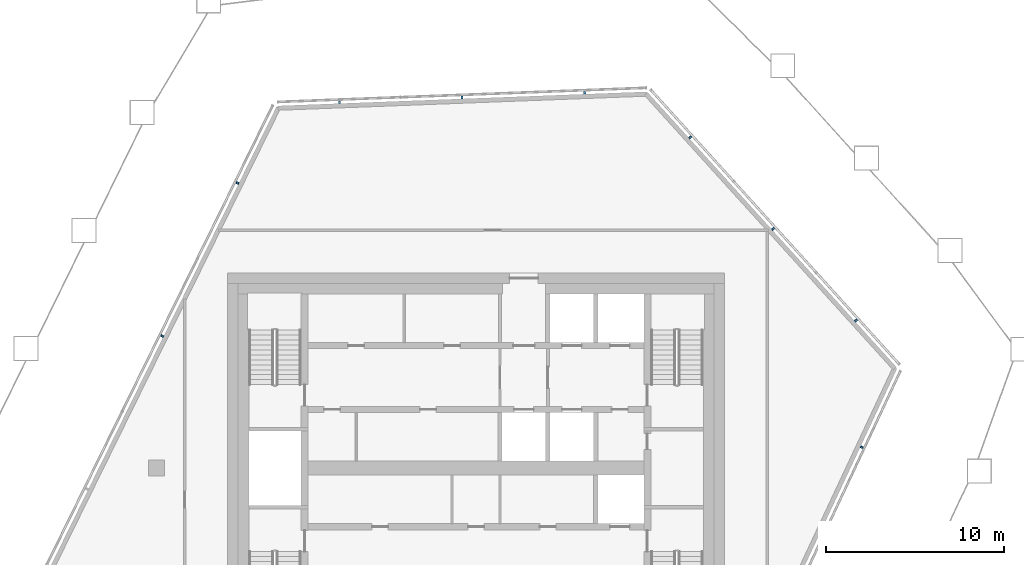
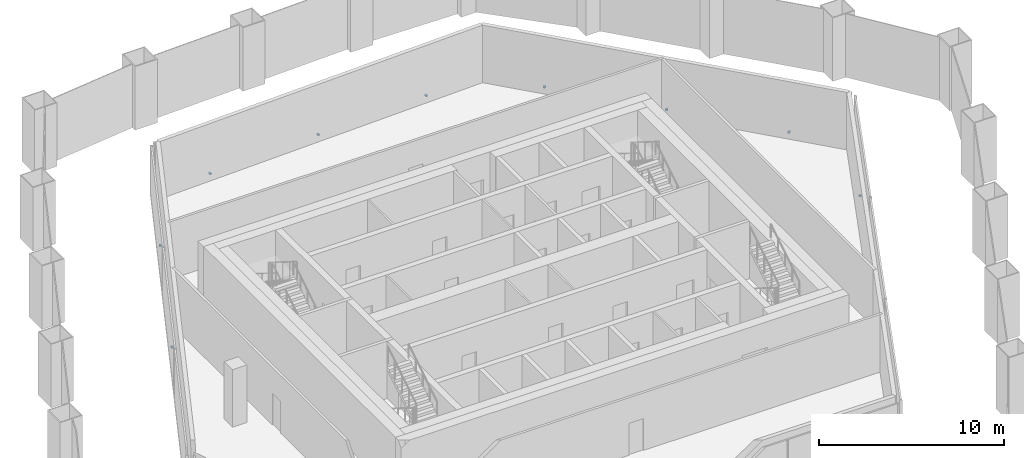
# One storey, part 11 of 18: 9 discrete accessories, 4 elements without a shape of their own.
"""IFC4 building model written with IfcOpenShell, lengths in metres."""

from ifc_helpers import new_model, si_unit, direction, frame, origin, origin_2d, place, context, subcontext, project, spatial, rectangle, extrude, material, layer, layer_set, type_object, element, aggregate, save


model = new_model("IFC4")

# Units and contexts
model_context = context("Model", 3, precision=1e-05, world=origin(), true_north=direction((0.0, 1.0)))
body_context = subcontext(model_context, "Body", "Model", "MODEL_VIEW")
ifc_project = project(units=[si_unit("LENGTHUNIT", "METRE"), si_unit("AREAUNIT", "SQUARE_METRE"), si_unit("VOLUMEUNIT", "CUBIC_METRE"), si_unit("PLANEANGLEUNIT", "RADIAN"), si_unit("MASSUNIT", "GRAM", prefix="KILO")], contexts=[model_context])

# Site, building, storey
site_placement = place(None, origin())
site = spatial("IfcSite", under=ifc_project, at=site_placement, CompositionType="ELEMENT")
building_placement = place(site_placement, origin())
building = spatial("IfcBuilding", under=site, at=building_placement, Name="Dongbaek Canopy Tower", CompositionType="ELEMENT")
storey_placement = place(building_placement, frame((0.0, 0.0, 359.0)))
storey = spatial("IfcBuildingStorey", under=building, at=storey_placement, Name="L77", CompositionType="ELEMENT", Elevation=359.0)

# Curtain wall, discrete accessory
ifc_material_1 = material(Name="Aluminium 6063-T6 pale anodised", Category="aluminium")
ifc_layer = layer(ifc_material_1, 0.14990234375)
ifc_layer_set = layer_set([ifc_layer], Name="CW-7 louvre curtain wall")
curtain_wall_type = type_object("IfcCurtainWallType", Name="CW-7 louvre curtain wall", PredefinedType="NOTDEFINED", material=ifc_layer_set)
curtain_wall_1_placement = place(storey_placement, origin())
curtain_wall_1 = element("IfcCurtainWall", 1, at=curtain_wall_1_placement, inside=storey, type_object=curtain_wall_type, Name="CW-7 louvre wall L77 F1", PredefinedType="NOTDEFINED")
ifc_material_2 = material(Name="Galvanised steel S355 bracket", Category="steel")
discrete_accessory_type = type_object("IfcDiscreteAccessoryType", Name="Louvre bracket BR1", PredefinedType="BRACKET", material=ifc_material_2)
discrete_accessory_1_placement = place(storey_placement, frame((21.72802734375, 1.181884765625, 0.18994140625), z_axis=(0.0, 0.0, 1.0), x_axis=(0.42412286138, 0.905604659029, 0.0)))
discrete_accessory_1 = element("IfcDiscreteAccessory", 2, at=discrete_accessory_1_placement, type_object=discrete_accessory_type, Name="Louvre bracket L77 F1.1.3", PredefinedType="BRACKET", context=body_context, shape_type="SweptSolid", body=[
    extrude(rectangle(XDim=0.1201171875, YDim=0.14990234375, at=origin_2d()), origin(), (0.0, 0.0, 1.0), 0.10009765625),
])
aggregate(curtain_wall_1, [discrete_accessory_1])

# Curtain wall, discrete accessories
curtain_wall_2_placement = place(storey_placement, origin())
curtain_wall_2 = element("IfcCurtainWall", 3, at=curtain_wall_2_placement, inside=storey, type_object=curtain_wall_type, Name="CW-7 louvre wall L77 F2", PredefinedType="NOTDEFINED")
discrete_accessory_2_placement = place(storey_placement, frame((21.397705078125, 8.324462890625, 0.18994140625), z_axis=(0.0, 0.0, 1.0), x_axis=(-0.671259717142, 0.741222228581, 0.0)))
discrete_accessory_2 = element("IfcDiscreteAccessory", 4, at=discrete_accessory_2_placement, type_object=discrete_accessory_type, Name="Louvre bracket L77 F2.1.1", PredefinedType="BRACKET", context=body_context, shape_type="SweptSolid", body=[
    extrude(rectangle(XDim=0.1201171875, YDim=0.14990234375, at=origin_2d()), origin(), (0.0, 0.0, 1.0), 0.10009765625),
])
discrete_accessory_3_placement = place(storey_placement, frame((16.731201171875, 13.4775390625, 0.18994140625), z_axis=(0.0, 0.0, 1.0), x_axis=(-0.671259717142, 0.741222228581, 0.0)))
discrete_accessory_3 = element("IfcDiscreteAccessory", 5, at=discrete_accessory_3_placement, type_object=discrete_accessory_type, Name="Louvre bracket L77 F2.1.2", PredefinedType="BRACKET", context=body_context, shape_type="SweptSolid", body=[
    extrude(rectangle(XDim=0.1201171875, YDim=0.14990234375, at=origin_2d()), origin(), (0.0, 0.0, 1.0), 0.10009765625),
])
discrete_accessory_4_placement = place(storey_placement, frame((12.064697265625, 18.63037109375, 0.18994140625), z_axis=(0.0, 0.0, 1.0), x_axis=(-0.671259717142, 0.741222228581, 0.0)))
discrete_accessory_4 = element("IfcDiscreteAccessory", 6, at=discrete_accessory_4_placement, type_object=discrete_accessory_type, Name="Louvre bracket L77 F2.1.3", PredefinedType="BRACKET", context=body_context, shape_type="SweptSolid", body=[
    extrude(rectangle(XDim=0.1201171875, YDim=0.14990234375, at=origin_2d()), origin(), (0.0, 0.0, 1.0), 0.10009765625),
])
aggregate(curtain_wall_2, [discrete_accessory_2, discrete_accessory_3, discrete_accessory_4])

curtain_wall_3_placement = place(storey_placement, origin())
curtain_wall_3 = element("IfcCurtainWall", 7, at=curtain_wall_3_placement, inside=storey, type_object=curtain_wall_type, Name="CW-7 louvre wall L77 F3", PredefinedType="NOTDEFINED")
discrete_accessory_5_placement = place(storey_placement, frame((6.121826171875, 21.14013671875, 0.18994140625), z_axis=(0.0, 0.0, 1.0), x_axis=(-0.999268890611, -0.038231979514, 0.0)))
discrete_accessory_5 = element("IfcDiscreteAccessory", 8, at=discrete_accessory_5_placement, type_object=discrete_accessory_type, Name="Louvre bracket L77 F3.1.1", PredefinedType="BRACKET", context=body_context, shape_type="SweptSolid", body=[
    extrude(rectangle(XDim=0.1201171875, YDim=0.14990234375, at=origin_2d()), origin(), (0.0, 0.0, 1.0), 0.10009765625),
])
discrete_accessory_6_placement = place(storey_placement, frame((-0.78515625, 20.8759765625, 0.18994140625), z_axis=(0.0, 0.0, 1.0), x_axis=(-0.999268890611, -0.038231979514, 0.0)))
discrete_accessory_6 = element("IfcDiscreteAccessory", 9, at=discrete_accessory_6_placement, type_object=discrete_accessory_type, Name="Louvre bracket L77 F3.1.2", PredefinedType="BRACKET", context=body_context, shape_type="SweptSolid", body=[
    extrude(rectangle(XDim=0.1201171875, YDim=0.14990234375, at=origin_2d()), origin(), (0.0, 0.0, 1.0), 0.10009765625),
])
discrete_accessory_7_placement = place(storey_placement, frame((-7.6923828125, 20.61181640625, 0.18994140625), z_axis=(0.0, 0.0, 1.0), x_axis=(-0.999268890611, -0.038231979514, 0.0)))
discrete_accessory_7 = element("IfcDiscreteAccessory", 10, at=discrete_accessory_7_placement, type_object=discrete_accessory_type, Name="Louvre bracket L77 F3.1.3", PredefinedType="BRACKET", context=body_context, shape_type="SweptSolid", body=[
    extrude(rectangle(XDim=0.1201171875, YDim=0.14990234375, at=origin_2d()), origin(), (0.0, 0.0, 1.0), 0.10009765625),
])
aggregate(curtain_wall_3, [discrete_accessory_5, discrete_accessory_6, discrete_accessory_7])

curtain_wall_4_placement = place(storey_placement, origin())
curtain_wall_4 = element("IfcCurtainWall", 11, at=curtain_wall_4_placement, inside=storey, type_object=curtain_wall_type, Name="CW-7 louvre wall L77 F4", PredefinedType="NOTDEFINED")
discrete_accessory_8_placement = place(storey_placement, frame((-13.436767578125, 16.06005859375, 0.18994140625), z_axis=(0.0, 0.0, 1.0), x_axis=(-0.441341619439, -0.897339163834, 0.0)))
discrete_accessory_8 = element("IfcDiscreteAccessory", 12, at=discrete_accessory_8_placement, type_object=discrete_accessory_type, Name="Louvre bracket L77 F4.1.1", PredefinedType="BRACKET", context=body_context, shape_type="SweptSolid", body=[
    extrude(rectangle(XDim=0.1201171875, YDim=0.14990234375, at=origin_2d()), origin(), (0.0, 0.0, 1.0), 0.10009765625),
])
discrete_accessory_9_placement = place(storey_placement, frame((-17.67431640625, 7.444091796875, 0.18994140625), z_axis=(0.0, 0.0, 1.0), x_axis=(-0.441341619439, -0.897339163834, 0.0)))
discrete_accessory_9 = element("IfcDiscreteAccessory", 13, at=discrete_accessory_9_placement, type_object=discrete_accessory_type, Name="Louvre bracket L77 F4.1.2", PredefinedType="BRACKET", context=body_context, shape_type="SweptSolid", body=[
    extrude(rectangle(XDim=0.1201171875, YDim=0.14990234375, at=origin_2d()), origin(), (0.0, 0.0, 1.0), 0.10009765625),
])
aggregate(curtain_wall_4, [discrete_accessory_8, discrete_accessory_9])

save(model, "model.ifc")
